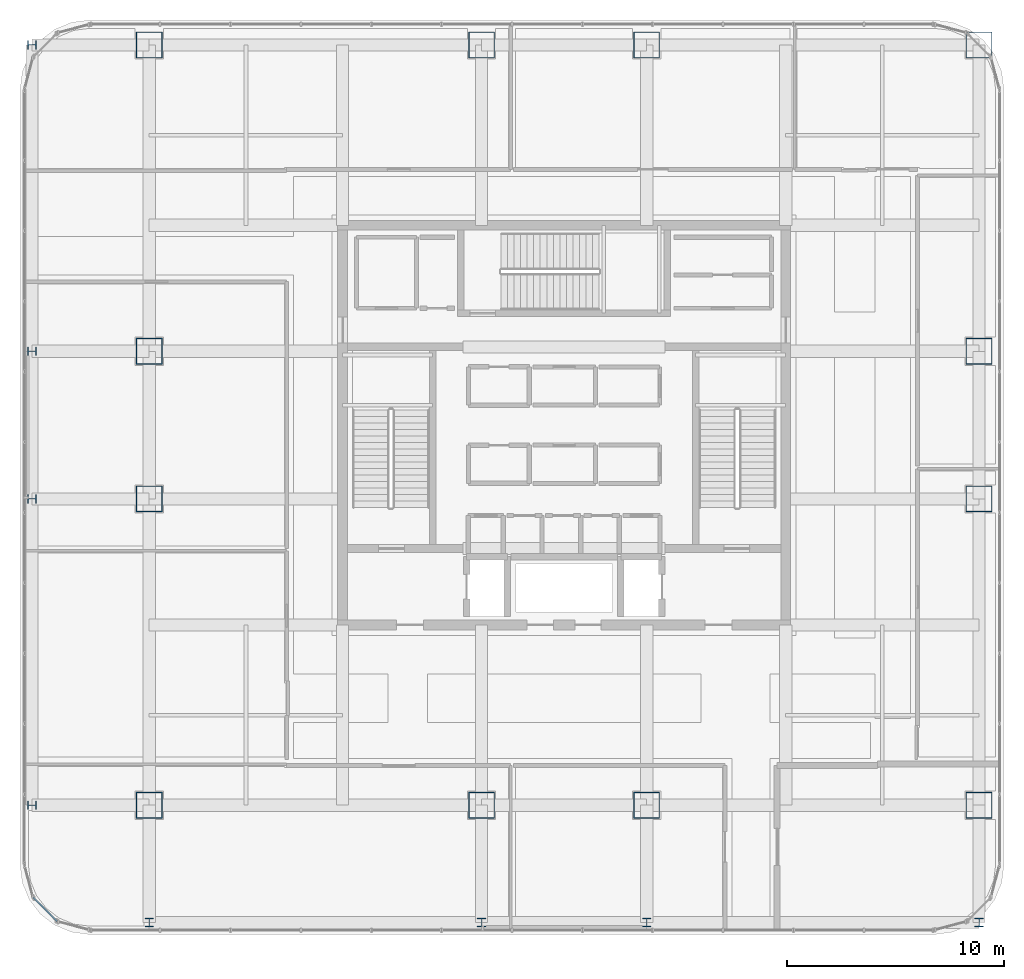
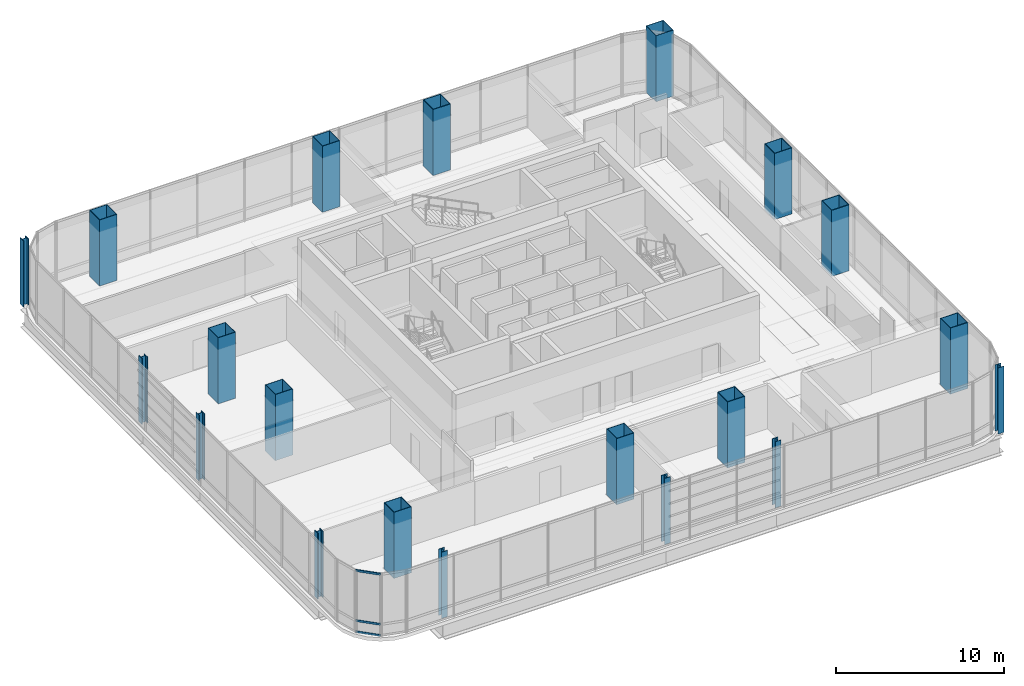
# One storey, part 1 of 45: 20 columns, 3 members, 1 element without a shape of its own.
"""IFC4 building model written with IfcOpenShell, lengths in metres."""

from ifc_helpers import new_model, si_unit, direction, frame, origin, origin_2d, place, context, subcontext, project, spatial, hollow_rectangle, i_section, extrude, material, material_profile, profile_set, type_object, element, aggregate, save


model = new_model("IFC4")

# Units and contexts
model_context = context("Model", 3, precision=1e-05, world=origin(), true_north=direction((0.0, 1.0)))
body_context = subcontext(model_context, "Body", "Model", "MODEL_VIEW")
ifc_project = project(units=[si_unit("LENGTHUNIT", "METRE"), si_unit("AREAUNIT", "SQUARE_METRE"), si_unit("VOLUMEUNIT", "CUBIC_METRE"), si_unit("PLANEANGLEUNIT", "RADIAN"), si_unit("MASSUNIT", "GRAM", prefix="KILO")], contexts=[model_context])

# Site, building, storey
site_placement = place(None, origin())
site = spatial("IfcSite", under=ifc_project, at=site_placement, CompositionType="ELEMENT")
building_placement = place(site_placement, origin())
building = spatial("IfcBuilding", under=site, at=building_placement, Name="Punatoya Terracotta Tower", CompositionType="ELEMENT")
storey_placement = place(building_placement, frame((0.0, 0.0, 339.0)))
storey = spatial("IfcBuildingStorey", under=building, at=storey_placement, Name="L80", CompositionType="ELEMENT", Elevation=339.0)

# Columns
ifc_material_1 = material(Name="Steel S355", Category="steel")
ifc_material_profile_1 = material_profile(ifc_material_1, i_section(OverallWidth=0.40087890625, OverallDepth=0.39892578125, WebThickness=0.02490234375, FlangeThickness=0.0400390625, FilletRadius=0.01806640625, at=origin_2d()))
ifc_profile_set_1 = profile_set([ifc_material_profile_1], Name="Steel S355")
column_type_1 = type_object("IfcColumnType", Name="COL-EX-OB", PredefinedType="COLUMN", material=ifc_profile_set_1)
for number, where, z_axis, x_axis, name in (
    (1, (-19.10009765625, -22.89990234375, 0.0), (0.0, 0.0, 1.0), (1.0, 0.0, 0.0), "L80 Exoskeleton Perimeter Column S1"),
    (2, (-3.800048828125, -22.89990234375, 0.0), (0.0, 0.0, 1.0), (1.0, 0.0, 0.0), "L80 Exoskeleton Perimeter Column S2"),
    (3, (3.800048828125, -22.89990234375, 0.0), (0.0, 0.0, 1.0), (1.0, 0.0, 0.0), "L80 Exoskeleton Perimeter Column S3"),
    (4, (19.10009765625, -22.89990234375, 0.0), (0.0, 0.0, 1.0), (1.0, 0.0, 0.0), "L80 Exoskeleton Perimeter Column S4"),
    (5, (-24.5, -17.5, 0.0), (0.0, 0.0, 1.0), (0.0, 1.0, 0.0), "L80 Exoskeleton Perimeter Column W1"),
    (6, (-24.5, -3.39990234375, 0.0), (0.0, 0.0, 1.0), (0.0, 1.0, 0.0), "L80 Exoskeleton Perimeter Column W2"),
    (7, (-24.5, 3.39990234375, 0.0), (0.0, 0.0, 1.0), (0.0, 1.0, 0.0), "L80 Exoskeleton Perimeter Column W3"),
    (8, (-24.5, 17.5, 0.0), (0.0, 0.0, 1.0), (0.0, 1.0, 0.0), "L80 Exoskeleton Perimeter Column W4"),
):
    element("IfcColumn", number, at=place(storey_placement, frame(where, z_axis=z_axis, x_axis=x_axis)), inside=storey, type_object=column_type_1, Name=name, PredefinedType="COLUMN", context=body_context, shape_type="SweptSolid", body=[
        extrude(i_section(OverallWidth=0.40087890625, OverallDepth=0.39892578125, WebThickness=0.02490234375, FlangeThickness=0.0400390625, FilletRadius=0.01806640625, at=origin_2d()), origin(), (0.0, 0.0, 1.0), 4.798095703125),
    ])
ifc_material_2 = material(Name="Steel S460", Category="steel")
ifc_material_profile_2 = material_profile(ifc_material_2, hollow_rectangle(XDim=1.199951171875, YDim=1.199951171875, WallThickness=0.034912109375, at=origin_2d()))
ifc_profile_set_2 = profile_set([ifc_material_profile_2], Name="Steel S460")
column_type_2 = type_object("IfcColumnType", Name="COL-MC-Z4", PredefinedType="COLUMN", material=ifc_profile_set_2)
for number, where, z_axis, x_axis, name in (
    (9, (-19.10009765625, -17.5, 0.0), (0.0, 0.0, 1.0), (1.0, 0.0, 0.0), "L80 Composite Mega-Column MC-01 (3-B)"),
    (10, (-3.800048828125, -17.5, 0.0), (0.0, 0.0, 1.0), (1.0, 0.0, 0.0), "L80 Composite Mega-Column MC-02 (5-B)"),
    (11, (3.800048828125, -17.5, 0.0), (0.0, 0.0, 1.0), (1.0, 0.0, 0.0), "L80 Composite Mega-Column MC-03 (7-B)"),
    (12, (19.10009765625, -17.5, 0.0), (0.0, 0.0, 1.0), (1.0, 0.0, 0.0), "L80 Composite Mega-Column MC-04 (9-B)"),
    (13, (19.10009765625, -3.39990234375, 0.0), (0.0, 0.0, 1.0), (1.0, 0.0, 0.0), "L80 Composite Mega-Column MC-05 (9-D)"),
    (14, (19.10009765625, 3.39990234375, 0.0), (0.0, 0.0, 1.0), (1.0, 0.0, 0.0), "L80 Composite Mega-Column MC-06 (9-E)"),
    (15, (19.10009765625, 17.5, 0.0), (0.0, 0.0, 1.0), (1.0, 0.0, 0.0), "L80 Composite Mega-Column MC-07 (9-G)"),
    (16, (3.800048828125, 17.5, 0.0), (0.0, 0.0, 1.0), (1.0, 0.0, 0.0), "L80 Composite Mega-Column MC-08 (7-G)"),
    (17, (-3.800048828125, 17.5, 0.0), (0.0, 0.0, 1.0), (1.0, 0.0, 0.0), "L80 Composite Mega-Column MC-09 (5-G)"),
    (18, (-19.10009765625, 17.5, 0.0), (0.0, 0.0, 1.0), (1.0, 0.0, 0.0), "L80 Composite Mega-Column MC-10 (3-G)"),
    (19, (-19.10009765625, 3.39990234375, 0.0), (0.0, 0.0, 1.0), (1.0, 0.0, 0.0), "L80 Composite Mega-Column MC-11 (3-E)"),
    (20, (-19.10009765625, -3.39990234375, 0.0), (0.0, 0.0, 1.0), (1.0, 0.0, 0.0), "L80 Composite Mega-Column MC-12 (3-D)"),
):
    element("IfcColumn", number, at=place(storey_placement, frame(where, z_axis=z_axis, x_axis=x_axis)), inside=storey, type_object=column_type_2, Name=name, PredefinedType="COLUMN", context=body_context, shape_type="SweptSolid", body=[
        extrude(hollow_rectangle(XDim=1.199951171875, YDim=1.199951171875, WallThickness=0.034912109375, at=origin_2d()), origin(), (0.0, 0.0, 1.0), 4.800048828125),
    ])

# Curtain wall, members
ifc_material_3 = material(Name="Aluminium 6063-T6 + Double Low-E Glass", Category="aluminium")
curtain_wall_type = type_object("IfcCurtainWallType", Name="CW-OBS", PredefinedType="NOTDEFINED", material=ifc_material_3)
curtain_wall_placement = place(storey_placement, origin())
curtain_wall = element("IfcCurtainWall", 21, at=curtain_wall_placement, inside=storey, type_object=curtain_wall_type, Name="L80 Curtain Wall CW-L80-CRN15", PredefinedType="NOTDEFINED")
ifc_material_4 = material(Name="Aluminium 6063-T6", Category="aluminium")
ifc_material_profile_3 = material_profile(ifc_material_4, hollow_rectangle(XDim=0.068115234375, YDim=0.14990234375, WallThickness=0.00390625, at=origin_2d()))
ifc_profile_set_3 = profile_set([ifc_material_profile_3], Name="Aluminium 6063-T6")
member_type = type_object("IfcMemberType", Name="CW-TRN-TYP", PredefinedType="USERDEFINED", material=ifc_profile_set_3)
member_1_placement = place(storey_placement, frame((-24.446533203125, -21.7490234375, 0.0400390625), z_axis=(0.707028130747, -0.707185422879, 0.0), x_axis=(0.707185422879, 0.707028130747, 0.0)))
member_1 = element("IfcMember", 22, at=member_1_placement, type_object=member_type, Name="CW-L80-CRN15 Transom 1", ObjectType="TRANSOM", PredefinedType="USERDEFINED", context=body_context, shape_type="SweptSolid", body=[
    extrude(hollow_rectangle(XDim=0.068115234375, YDim=0.14990234375, WallThickness=0.00390625, at=origin_2d()), origin(), (0.0, 0.0, 1.0), 1.55224609375),
])
member_2_placement = place(storey_placement, frame((-24.446533203125, -21.7490234375, 0.85009765625), z_axis=(0.707028130747, -0.707185422879, 0.0), x_axis=(0.707185422879, 0.707028130747, 0.0)))
member_2 = element("IfcMember", 23, at=member_2_placement, type_object=member_type, Name="CW-L80-CRN15 Transom 2", ObjectType="TRANSOM", PredefinedType="USERDEFINED", context=body_context, shape_type="SweptSolid", body=[
    extrude(hollow_rectangle(XDim=0.068115234375, YDim=0.14990234375, WallThickness=0.00390625, at=origin_2d()), origin(), (0.0, 0.0, 1.0), 1.55224609375),
])
member_3_placement = place(storey_placement, frame((-24.446533203125, -21.7490234375, 4.47998046875), z_axis=(0.707028130747, -0.707185422879, 0.0), x_axis=(0.707185422879, 0.707028130747, 0.0)))
member_3 = element("IfcMember", 24, at=member_3_placement, type_object=member_type, Name="CW-L80-CRN15 Transom 3", ObjectType="TRANSOM", PredefinedType="USERDEFINED", context=body_context, shape_type="SweptSolid", body=[
    extrude(hollow_rectangle(XDim=0.068115234375, YDim=0.14990234375, WallThickness=0.00390625, at=origin_2d()), origin(), (0.0, 0.0, 1.0), 1.55224609375),
])
aggregate(curtain_wall, [member_1, member_2, member_3])

save(model, "model.ifc")
